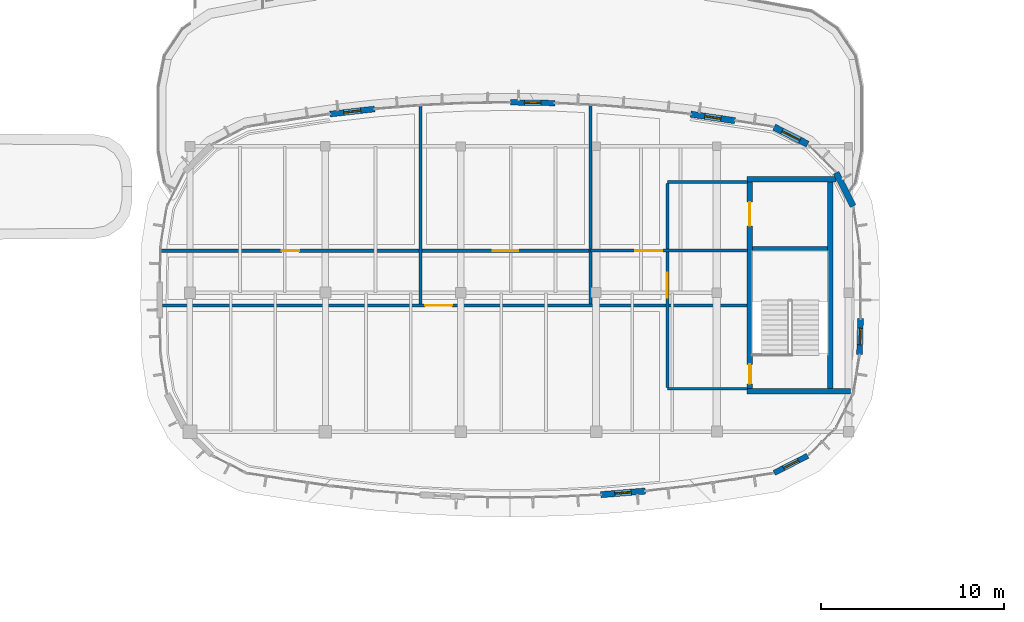
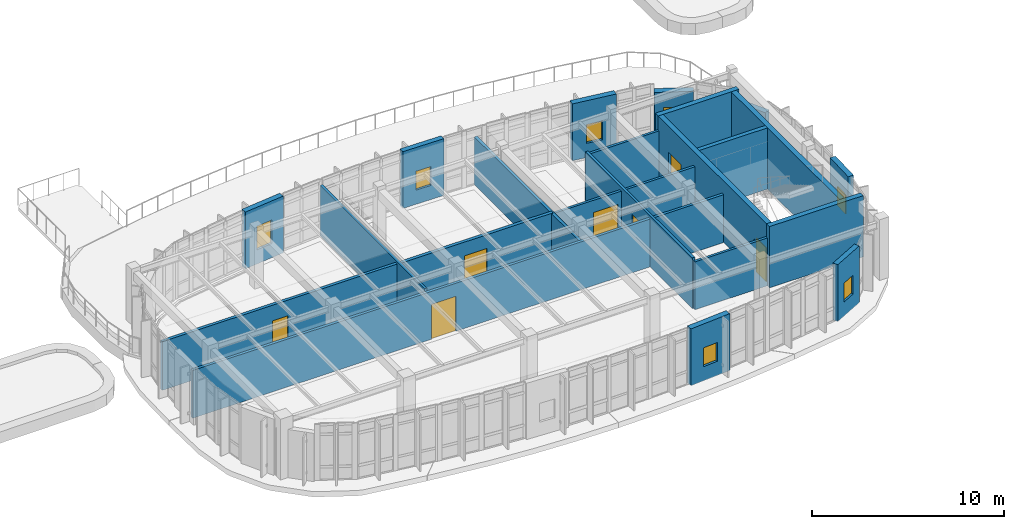
# One storey, part 84 of 111: 22 walls, 8 doors, 6 windows, 14 openings.
"""IFC4 building model written with IfcOpenShell, lengths in metres."""

from ifc_helpers import new_model, si_unit, direction, frame, frame_2d, origin, place, context, subcontext, project, spatial, rectangle, extrude, material, layer, layer_set, type_object, element, fill, save


model = new_model("IFC4")

# Units and contexts
model_context = context("Model", 3, precision=1e-05, world=origin(), true_north=direction((0.0, 1.0)))
body_context = subcontext(model_context, "Body", "Model", "MODEL_VIEW")
ifc_project = project(units=[si_unit("LENGTHUNIT", "METRE"), si_unit("AREAUNIT", "SQUARE_METRE"), si_unit("VOLUMEUNIT", "CUBIC_METRE"), si_unit("PLANEANGLEUNIT", "RADIAN"), si_unit("MASSUNIT", "GRAM", prefix="KILO")], contexts=[model_context])

# Site, building, storey
site_placement = place(None, origin())
site = spatial("IfcSite", under=ifc_project, at=site_placement, CompositionType="ELEMENT")
building_placement = place(site_placement, origin())
building = spatial("IfcBuilding", under=site, at=building_placement, Name="Corveleigh Park Community Centre", CompositionType="ELEMENT")
storey_placement = place(building_placement, frame((0.0, 0.0, 4.800048828125)))
storey = spatial("IfcBuildingStorey", under=building, at=storey_placement, Name="L01", CompositionType="ELEMENT", Elevation=4.800048828125)

# Wall, opening, window
ifc_material_1 = material(Name="Precast concrete C40/50", Category="concrete")
ifc_layer_1 = layer(ifc_material_1, 0.300048828125, Name="Precast concrete C40/50", Category="concrete")
ifc_layer_set_1 = layer_set([ifc_layer_1], Name="Precast concrete C40/50")
wall_type_1 = type_object("IfcWallType", Name="WL-EXT-300", PredefinedType="STANDARD", material=ifc_layer_set_1)
wall_1_placement = place(storey_placement, frame((105.762939453125, 9.882080078125, 0.0), z_axis=(0.0, 0.0, 1.0), x_axis=(-0.890853274035, -0.454291144686, 0.0)))
wall_1 = element("IfcWall", 1, at=wall_1_placement, inside=storey, type_object=wall_type_1, Name="V3 L01 Precast Facade Wall", PredefinedType="STANDARD", context=body_context, shape_type="SweptSolid", body=[
    extrude(rectangle(XDim=2.0517578125, YDim=0.300048828125, at=frame_2d((1.02587890625, 0.0))), origin(), (0.0, 0.0, 1.0), 3.619873046875),
])
opening_1_placement = place(wall_1_placement, frame((0.575927734375, 0.0, 0.89990234375)))
opening_1 = element("IfcOpeningElement", 2, at=opening_1_placement, cuts=wall_1, Name="Opening W01", PredefinedType="OPENING", context=body_context, shape_type="SweptSolid", body=[
    extrude(rectangle(XDim=0.89990234375, YDim=1.199951171875, at=frame_2d((0.449951171875, 0.60009765625))), frame((0.0, 0.159912109375, 0.0), z_axis=(0.0, -1.0, 0.0), x_axis=(1.0, 0.0, 0.0)), (0.0, 0.0, 1.0), 0.320068359375),
])
ifc_material_2 = material(Name="Low-E double glazing", Category="glass")
window_type_1 = type_object("IfcWindowType", Name="WIN-EXT-0900x1200", PartitioningType="SINGLE_PANEL", PredefinedType="WINDOW", material=ifc_material_2)
window_1_placement = place(opening_1_placement, origin())
window_1 = element("IfcWindow", 3, at=window_1_placement, inside=storey, type_object=window_type_1, Name="V3 L01 Window 46", OverallHeight=1.199951171875, OverallWidth=0.89990234375, PartitioningType="SINGLE_PANEL", PredefinedType="WINDOW", context=body_context, shape_type="SweptSolid", body=[
    extrude(rectangle(XDim=0.89990234375, YDim=1.199951171875, at=frame_2d((0.449951171875, 0.60009765625))), frame((0.0, 0.030029296875, 0.0), z_axis=(0.0, -1.0, 0.0), x_axis=(1.0, 0.0, 0.0)), (0.0, 0.0, 1.0), 0.06005859375),
])
fill(opening_1, window_1)

wall_2_placement = place(storey_placement, frame((89.509033203125, 29.202880859375, 0.0), z_axis=(0.0, 0.0, 1.0), x_axis=(0.999868316156, -0.01622807284, 0.0)))
wall_2 = element("IfcWall", 4, at=wall_2_placement, inside=storey, type_object=wall_type_1, Name="V3 L01 Precast Facade Wall", PredefinedType="STANDARD", context=body_context, shape_type="SweptSolid", body=[
    extrude(rectangle(XDim=2.4521484375, YDim=0.300048828125, at=frame_2d((1.22607421875, 0.0))), origin(), (0.0, 0.0, 1.0), 3.612060546875),
])
opening_2_placement = place(wall_2_placement, frame((0.77587890625, 0.0, 0.89990234375)))
opening_2 = element("IfcOpeningElement", 5, at=opening_2_placement, cuts=wall_2, Name="Opening W01", PredefinedType="OPENING", context=body_context, shape_type="SweptSolid", body=[
    extrude(rectangle(XDim=0.89990234375, YDim=1.199951171875, at=frame_2d((0.449951171875, 0.60009765625))), frame((0.0, 0.159912109375, 0.0), z_axis=(0.0, -1.0, 0.0), x_axis=(1.0, 0.0, 0.0)), (0.0, 0.0, 1.0), 0.320068359375),
])
window_2_placement = place(opening_2_placement, origin())
window_2 = element("IfcWindow", 6, at=window_2_placement, inside=storey, type_object=window_type_1, Name="V3 L01 Window 49", OverallHeight=1.199951171875, OverallWidth=0.89990234375, PartitioningType="SINGLE_PANEL", PredefinedType="WINDOW", context=body_context, shape_type="SweptSolid", body=[
    extrude(rectangle(XDim=0.89990234375, YDim=1.199951171875, at=frame_2d((0.449951171875, 0.60009765625))), frame((0.0, 0.030029296875, 0.0), z_axis=(0.0, -1.0, 0.0), x_axis=(1.0, 0.0, 0.0)), (0.0, 0.0, 1.0), 0.06005859375),
])
fill(opening_2, window_2)

ifc_layer_2 = layer(ifc_material_1, 0.320068359375, Name="Precast concrete C40/50", Category="concrete")
ifc_layer_set_2 = layer_set([ifc_layer_2], Name="Precast concrete C40/50")
wall_type_2 = type_object("IfcWallType", Name="WL-EXT-320", PredefinedType="STANDARD", material=ifc_layer_set_2)
wall_3_placement = place(storey_placement, frame((108.652099609375, 17.39111328125, 0.0), z_axis=(0.0, 0.0, 1.0), x_axis=(-0.026358751259, -0.999652547754, 0.0)))
wall_3 = element("IfcWall", 7, at=wall_3_placement, inside=storey, type_object=wall_type_2, Name="V3 L01 Precast Facade Wall", PredefinedType="STANDARD", context=body_context, shape_type="SweptSolid", body=[
    extrude(rectangle(XDim=1.972900390625, YDim=0.320068359375, at=frame_2d((0.986328125, 0.0))), origin(), (0.0, 0.0, 1.0), 3.656982421875),
])
opening_3_placement = place(wall_3_placement, frame((0.535888671875, 0.0, 0.89990234375)))
opening_3 = element("IfcOpeningElement", 8, at=opening_3_placement, cuts=wall_3, Name="Opening W01", PredefinedType="OPENING", context=body_context, shape_type="SweptSolid", body=[
    extrude(rectangle(XDim=0.89990234375, YDim=1.199951171875, at=frame_2d((0.449951171875, 0.60009765625))), frame((0.0, 0.169921875, 0.0), z_axis=(0.0, -1.0, 0.0), x_axis=(1.0, 0.0, 0.0)), (0.0, 0.0, 1.0), 0.340087890625),
])
window_3_placement = place(opening_3_placement, origin())
window_3 = element("IfcWindow", 9, at=window_3_placement, inside=storey, type_object=window_type_1, Name="V3 L01 Window 47", OverallHeight=1.199951171875, OverallWidth=0.89990234375, PartitioningType="SINGLE_PANEL", PredefinedType="WINDOW", context=body_context, shape_type="SweptSolid", body=[
    extrude(rectangle(XDim=0.89990234375, YDim=1.199951171875, at=frame_2d((0.449951171875, 0.60009765625))), frame((0.0, 0.030029296875, 0.0), z_axis=(0.0, -1.0, 0.0), x_axis=(1.0, 0.0, 0.0)), (0.0, 0.0, 1.0), 0.06005859375),
])
fill(opening_3, window_3)

wall_4_placement = place(storey_placement, frame((79.653076171875, 28.56201171875, 0.0), z_axis=(0.0, 0.0, 1.0), x_axis=(0.993507947112, 0.113762731271, 0.0)))
wall_4 = element("IfcWall", 10, at=wall_4_placement, inside=storey, type_object=wall_type_2, Name="V3 L01 Precast Facade Wall", PredefinedType="STANDARD", context=body_context, shape_type="SweptSolid", body=[
    extrude(rectangle(XDim=2.452880859375, YDim=0.320068359375, at=frame_2d((1.2265625, 0.0))), origin(), (0.0, 0.0, 1.0), 3.612060546875),
])
opening_4_placement = place(wall_4_placement, frame((0.7509765625, 0.0, 0.89990234375)))
opening_4 = element("IfcOpeningElement", 11, at=opening_4_placement, cuts=wall_4, Name="Opening W02", PredefinedType="OPENING", context=body_context, shape_type="SweptSolid", body=[
    extrude(rectangle(XDim=0.949951171875, YDim=1.5, at=frame_2d((0.47509765625, 0.75))), frame((0.0, 0.169921875, 0.0), z_axis=(0.0, -1.0, 0.0), x_axis=(1.0, 0.0, 0.0)), (0.0, 0.0, 1.0), 0.340087890625),
])
window_type_2 = type_object("IfcWindowType", Name="WIN-EXT-0950x1500", PartitioningType="SINGLE_PANEL", PredefinedType="WINDOW", material=ifc_material_2)
window_4_placement = place(opening_4_placement, origin())
window_4 = element("IfcWindow", 12, at=window_4_placement, inside=storey, type_object=window_type_2, Name="V3 L01 Window 50", OverallHeight=1.5, OverallWidth=0.949951171875, PartitioningType="SINGLE_PANEL", PredefinedType="WINDOW", context=body_context, shape_type="SweptSolid", body=[
    extrude(rectangle(XDim=0.949951171875, YDim=1.5, at=frame_2d((0.47509765625, 0.75))), frame((0.0, 0.030029296875, 0.0), z_axis=(0.0, -1.0, 0.0), x_axis=(1.0, 0.0, 0.0)), (0.0, 0.0, 1.0), 0.06005859375),
])
fill(opening_4, window_4)

ifc_layer_3 = layer(ifc_material_1, 0.340087890625, Name="Precast concrete C40/50", Category="concrete")
ifc_layer_set_3 = layer_set([ifc_layer_3], Name="Precast concrete C40/50")
wall_type_3 = type_object("IfcWallType", Name="WL-EXT-340", PredefinedType="STANDARD", material=ifc_layer_set_3)
wall_5_placement = place(storey_placement, frame((96.89208984375, 7.95703125, 0.0), z_axis=(0.0, 0.0, 1.0), x_axis=(-0.996705171675, -0.081109806781, 0.0)))
wall_5 = element("IfcWall", 13, at=wall_5_placement, inside=storey, type_object=wall_type_3, Name="V3 L01 Precast Facade Wall", PredefinedType="STANDARD", context=body_context, shape_type="SweptSolid", body=[
    extrude(rectangle(XDim=2.453125, YDim=0.340087890625, at=frame_2d((1.2265625, 0.0))), origin(), (0.0, 0.0, 1.0), 3.619873046875),
])
opening_5_placement = place(wall_5_placement, frame((0.77587890625, 0.0, 0.89990234375)))
opening_5 = element("IfcOpeningElement", 14, at=opening_5_placement, cuts=wall_5, Name="Opening W01", PredefinedType="OPENING", context=body_context, shape_type="SweptSolid", body=[
    extrude(rectangle(XDim=0.89990234375, YDim=1.199951171875, at=frame_2d((0.449951171875, 0.60009765625))), frame((0.0, 0.179931640625, 0.0), z_axis=(0.0, -1.0, 0.0), x_axis=(1.0, 0.0, 0.0)), (0.0, 0.0, 1.0), 0.360107421875),
])
window_5_placement = place(opening_5_placement, origin())
window_5 = element("IfcWindow", 15, at=window_5_placement, inside=storey, type_object=window_type_1, Name="V3 L01 Window 45", OverallHeight=1.199951171875, OverallWidth=0.89990234375, PartitioningType="SINGLE_PANEL", PredefinedType="WINDOW", context=body_context, shape_type="SweptSolid", body=[
    extrude(rectangle(XDim=0.89990234375, YDim=1.199951171875, at=frame_2d((0.449951171875, 0.60009765625))), frame((0.0, 0.030029296875, 0.0), z_axis=(0.0, -1.0, 0.0), x_axis=(1.0, 0.0, 0.0)), (0.0, 0.0, 1.0), 0.06005859375),
])
fill(opening_5, window_5)

# Wall
wall_6_placement = place(storey_placement, frame((107.318115234375, 25.363037109375, 0.0), z_axis=(0.0, 0.0, 1.0), x_axis=(0.454148561407, -0.890925970085, 0.0)))
element("IfcWall", 16, at=wall_6_placement, inside=storey, type_object=wall_type_3, Name="V3 L01 Precast Facade Wall", PredefinedType="STANDARD", context=body_context, shape_type="SweptSolid", body=[
    extrude(rectangle(XDim=2.052001953125, YDim=0.340087890625, at=frame_2d((1.02587890625, 0.0))), origin(), (0.0, 0.0, 1.0), 2.969970703125),
])

# Wall, opening, window
wall_7_placement = place(storey_placement, frame((99.364990234375, 28.56005859375, 0.0), z_axis=(0.0, 0.0, 1.0), x_axis=(0.98923708278, -0.146321543365, 0.0)))
wall_7 = element("IfcWall", 17, at=wall_7_placement, inside=storey, type_object=wall_type_3, Name="V3 L01 Precast Facade Wall", PredefinedType="STANDARD", context=body_context, shape_type="SweptSolid", body=[
    extrude(rectangle(XDim=2.454345703125, YDim=0.340087890625, at=frame_2d((1.22705078125, 0.0))), origin(), (0.0, 0.0, 1.0), 3.612060546875),
])
opening_6_placement = place(wall_7_placement, frame((0.777099609375, 0.0, 0.89990234375)))
opening_6 = element("IfcOpeningElement", 18, at=opening_6_placement, cuts=wall_7, Name="Opening W01", PredefinedType="OPENING", context=body_context, shape_type="SweptSolid", body=[
    extrude(rectangle(XDim=0.89990234375, YDim=1.199951171875, at=frame_2d((0.449951171875, 0.60009765625))), frame((0.0, 0.179931640625, 0.0), z_axis=(0.0, -1.0, 0.0), x_axis=(1.0, 0.0, 0.0)), (0.0, 0.0, 1.0), 0.360107421875),
])
window_6_placement = place(opening_6_placement, origin())
window_6 = element("IfcWindow", 19, at=window_6_placement, inside=storey, type_object=window_type_1, Name="V3 L01 Window 48", OverallHeight=1.199951171875, OverallWidth=0.89990234375, PartitioningType="SINGLE_PANEL", PredefinedType="WINDOW", context=body_context, shape_type="SweptSolid", body=[
    extrude(rectangle(XDim=0.89990234375, YDim=1.199951171875, at=frame_2d((0.449951171875, 0.60009765625))), frame((0.0, 0.030029296875, 0.0), z_axis=(0.0, -1.0, 0.0), x_axis=(1.0, 0.0, 0.0)), (0.0, 0.0, 1.0), 0.06005859375),
])
fill(opening_6, window_6)

# Wall, opening, door
ifc_layer_4 = layer(ifc_material_1, 0.360107421875, Name="Precast concrete C40/50", Category="concrete")
ifc_layer_set_4 = layer_set([ifc_layer_4], Name="Precast concrete C40/50")
wall_type_4 = type_object("IfcWallType", Name="WL-EXT-360", PredefinedType="STANDARD", material=ifc_layer_set_4)
wall_8_placement = place(storey_placement, frame((103.93505859375, 27.85009765625, 0.0), z_axis=(0.0, 0.0, 1.0), x_axis=(0.890853274035, -0.454291144686, 0.0)))
wall_8 = element("IfcWall", 20, at=wall_8_placement, inside=storey, type_object=wall_type_4, Name="V3 terrace wall", PredefinedType="STANDARD", context=body_context, shape_type="SweptSolid", body=[
    extrude(rectangle(XDim=2.0517578125, YDim=0.360107421875, at=frame_2d((1.02587890625, 0.0))), origin(), (0.0, 0.0, 1.0), 3.18798828125),
])
opening_7_placement = place(wall_8_placement, frame((0.47607421875, 0.0, 0.0)))
opening_7 = element("IfcOpeningElement", 21, at=opening_7_placement, cuts=wall_8, Name="Opening ED01", PredefinedType="OPENING", context=body_context, shape_type="SweptSolid", body=[
    extrude(rectangle(XDim=1.10009765625, YDim=2.199951171875, at=frame_2d((0.550048828125, 1.10009765625))), frame((0.0, 0.18994140625, 0.0), z_axis=(0.0, -1.0, 0.0), x_axis=(1.0, 0.0, 0.0)), (0.0, 0.0, 1.0), 0.380126953125),
])
ifc_material_3 = material(Name="Powder-coated aluminium glazed door", Category="aluminium")
door_type_1 = type_object("IfcDoorType", Name="DR-EXT-1100x2200", OperationType="NOTDEFINED", PredefinedType="DOOR", material=ifc_material_3)
door_1_placement = place(opening_7_placement, origin())
door_1 = element("IfcDoor", 22, at=door_1_placement, inside=storey, type_object=door_type_1, Name="Banquet Courtyard Roof Terrace access door", OperationType="SINGLE_SWING_LEFT", OverallHeight=2.199951171875, OverallWidth=1.10009765625, PredefinedType="DOOR", context=body_context, shape_type="SweptSolid", body=[
    extrude(rectangle(XDim=1.10009765625, YDim=2.199951171875, at=frame_2d((0.550048828125, 1.10009765625))), frame((0.0, 0.02490234375, 0.0), z_axis=(0.0, -1.0, 0.0), x_axis=(1.0, 0.0, 0.0)), (0.0, 0.0, 1.0), 0.050048828125),
])
fill(opening_7, door_1)

# Walls
ifc_material_4 = material(Name="Gypsum acoustic stud partition", Category="gypsum")
ifc_layer_5 = layer(ifc_material_4, 0.14990234375, Name="Gypsum acoustic stud partition", Category="gypsum")
ifc_layer_set_5 = layer_set([ifc_layer_5], Name="Gypsum acoustic stud partition")
wall_type_5 = type_object("IfcWallType", Name="WL-PRT-150", PredefinedType="PARTITIONING", material=ifc_layer_set_5)
wall_9_placement = place(storey_placement, frame((98.10009765625, 13.550048828125, 0.0), z_axis=(0.0, 0.0, 1.0), x_axis=(1.0, 0.0, 0.0)))
element("IfcWall", 23, at=wall_9_placement, inside=storey, type_object=wall_type_5, Name="CORE4 lobby south wall", PredefinedType="PARTITIONING", context=body_context, shape_type="SweptSolid", body=[
    extrude(rectangle(XDim=4.364990234375, YDim=0.14990234375, at=frame_2d((2.1826171875, 0.0))), origin(), (0.0, 0.0, 1.0), 3.044921875),
])
wall_10_placement = place(storey_placement, frame((102.465087890625, 24.85009765625, 0.0), z_axis=(0.0, 0.0, 1.0), x_axis=(-1.0, 0.0, 0.0)))
element("IfcWall", 24, at=wall_10_placement, inside=storey, type_object=wall_type_5, Name="CORE4 lobby north wall", PredefinedType="PARTITIONING", context=body_context, shape_type="SweptSolid", body=[
    extrude(rectangle(XDim=4.364990234375, YDim=0.14990234375, at=frame_2d((2.1826171875, 0.0))), origin(), (0.0, 0.0, 1.0), 2.994873046875),
])

# Wall, opening, door
wall_11_placement = place(storey_placement, frame((98.10009765625, 24.77001953125, 0.0), z_axis=(0.0, 0.0, 1.0), x_axis=(0.0, -1.0, 0.0)))
wall_11 = element("IfcWall", 25, at=wall_11_placement, inside=storey, type_object=wall_type_5, Name="CORE4 lobby corridor wall", PredefinedType="PARTITIONING", context=body_context, shape_type="SweptSolid", body=[
    extrude(rectangle(XDim=11.14013671875, YDim=0.14990234375, at=frame_2d((5.570068359375, 0.0))), origin(), (0.0, 0.0, 1.0), 3.23193359375),
])
opening_8_placement = place(wall_11_placement, frame((4.8798828125, 0.0, 0.0)))
opening_8 = element("IfcOpeningElement", 26, at=opening_8_placement, cuts=wall_11, Name="Opening FD02", PredefinedType="OPENING", context=body_context, shape_type="SweptSolid", body=[
    extrude(rectangle(XDim=1.3798828125, YDim=2.199951171875, at=frame_2d((0.68994140625, 1.10009765625))), frame((0.0, 0.0849609375, 0.0), z_axis=(0.0, -1.0, 0.0), x_axis=(1.0, 0.0, 0.0)), (0.0, 0.0, 1.0), 0.169921875),
])
ifc_material_5 = material(Name="Hardwood acoustic door leaf", Category="wood")
door_type_2 = type_object("IfcDoorType", Name="DR-FIR-1380x2200", OperationType="DOUBLE_DOOR_SINGLE_SWING", PredefinedType="DOOR", material=ifc_material_5)
door_2_placement = place(opening_8_placement, origin())
door_2 = element("IfcDoor", 27, at=door_2_placement, inside=storey, type_object=door_type_2, Name="Lobby CORE4 corridor door L01", OperationType="DOUBLE_DOOR_SINGLE_SWING", OverallHeight=2.199951171875, OverallWidth=1.3798828125, PredefinedType="DOOR", context=body_context, shape_type="SweptSolid", body=[
    extrude(rectangle(XDim=1.3798828125, YDim=2.199951171875, at=frame_2d((0.68994140625, 1.10009765625))), frame((0.0, 0.02490234375, 0.0), z_axis=(0.0, -1.0, 0.0), x_axis=(1.0, 0.0, 0.0)), (0.0, 0.0, 1.0), 0.050048828125),
])
fill(opening_8, door_2)

wall_12_placement = place(storey_placement, frame((102.4619140625, 21.10009765625, 0.0), z_axis=(0.0, 0.0, 1.0), x_axis=(-1.0, 0.0, 0.0)))
wall_12 = element("IfcWall", 28, at=wall_12_placement, inside=storey, type_object=wall_type_5, Name="Accessible WC V3 L01 corridor wall", PredefinedType="PARTITIONING", context=body_context, shape_type="SweptSolid", body=[
    extrude(rectangle(XDim=8.56201171875, YDim=0.14990234375, at=frame_2d((4.281005859375, 0.0))), origin(), (0.0, 0.0, 1.0), 2.994873046875),
])
opening_9_placement = place(wall_12_placement, frame((4.637939453125, 0.0, 0.0)))
opening_9 = element("IfcOpeningElement", 29, at=opening_9_placement, cuts=wall_12, Name="Opening FD01", PredefinedType="OPENING", context=body_context, shape_type="SweptSolid", body=[
    extrude(rectangle(XDim=1.47998046875, YDim=2.219970703125, at=frame_2d((0.739990234375, 1.10986328125))), frame((0.0, 0.0849609375, 0.0), z_axis=(0.0, -1.0, 0.0), x_axis=(1.0, 0.0, 0.0)), (0.0, 0.0, 1.0), 0.169921875),
])
door_type_3 = type_object("IfcDoorType", Name="DR-FIR-1480x2220", OperationType="DOUBLE_DOOR_SINGLE_SWING", PredefinedType="DOOR", material=ifc_material_5)
door_3_placement = place(opening_9_placement, origin())
door_3 = element("IfcDoor", 30, at=door_3_placement, inside=storey, type_object=door_type_3, Name="Accessible WC V3 L01 door", OperationType="DOUBLE_DOOR_SINGLE_SWING", OverallHeight=2.219970703125, OverallWidth=1.47998046875, PredefinedType="DOOR", context=body_context, shape_type="SweptSolid", body=[
    extrude(rectangle(XDim=1.47998046875, YDim=2.219970703125, at=frame_2d((0.739990234375, 1.10986328125))), frame((0.0, 0.02490234375, 0.0), z_axis=(0.0, -1.0, 0.0), x_axis=(1.0, 0.0, 0.0)), (0.0, 0.0, 1.0), 0.050048828125),
])
fill(opening_9, door_3)

# Wall
wall_13_placement = place(storey_placement, frame((84.60009765625, 18.1708984375, 0.0), z_axis=(0.0, 0.0, 1.0), x_axis=(0.0, 1.0, 0.0)))
element("IfcWall", 31, at=wall_13_placement, inside=storey, type_object=wall_type_5, Name="Culinary Teaching Classroom partition", PredefinedType="PARTITIONING", context=body_context, shape_type="SweptSolid", body=[
    extrude(rectangle(XDim=10.873046875, YDim=0.14990234375, at=frame_2d((5.4365234375, 0.0))), origin(), (0.0, 0.0, 1.0), 3.23583984375),
])

# Wall, opening, door
ifc_layer_6 = layer(ifc_material_4, 0.1650390625, Name="Gypsum acoustic stud partition", Category="gypsum")
ifc_layer_set_6 = layer_set([ifc_layer_6], Name="Gypsum acoustic stud partition")
wall_type_6 = type_object("IfcWallType", Name="WL-PRT-165", PredefinedType="PARTITIONING", material=ifc_layer_set_6)
wall_14_placement = place(storey_placement, frame((70.486083984375, 18.10009765625, 0.0), z_axis=(0.0, 0.0, 1.0), x_axis=(1.0, 0.0, 0.0)))
wall_14 = element("IfcWall", 32, at=wall_14_placement, inside=storey, type_object=wall_type_6, Name="Community Banquet Hall corridor wall", PredefinedType="PARTITIONING", context=body_context, shape_type="SweptSolid", body=[
    extrude(rectangle(XDim=31.975830078125, YDim=0.1650390625, at=frame_2d((15.98779296875, 0.0))), origin(), (0.0, 0.0, 1.0), 3.044921875),
])
opening_10_placement = place(wall_14_placement, frame((14.367919921875, 0.0, 0.0)))
opening_10 = element("IfcOpeningElement", 33, at=opening_10_placement, cuts=wall_14, Name="Opening FD01", PredefinedType="OPENING", context=body_context, shape_type="SweptSolid", body=[
    extrude(rectangle(XDim=1.47998046875, YDim=2.219970703125, at=frame_2d((0.739990234375, 1.10986328125))), frame((0.0, 0.092529296875, 0.0), z_axis=(0.0, -1.0, 0.0), x_axis=(1.0, 0.0, 0.0)), (0.0, 0.0, 1.0), 0.18505859375),
])
door_4_placement = place(opening_10_placement, origin())
door_4 = element("IfcDoor", 34, at=door_4_placement, inside=storey, type_object=door_type_3, Name="Community Banquet Hall door", OperationType="DOUBLE_DOOR_SINGLE_SWING", OverallHeight=2.219970703125, OverallWidth=1.47998046875, PredefinedType="DOOR", context=body_context, shape_type="SweptSolid", body=[
    extrude(rectangle(XDim=1.47998046875, YDim=2.219970703125, at=frame_2d((0.739990234375, 1.10986328125))), frame((0.0, 0.02490234375, 0.0), z_axis=(0.0, -1.0, 0.0), x_axis=(1.0, 0.0, 0.0)), (0.0, 0.0, 1.0), 0.050048828125),
])
fill(opening_10, door_4)

# Wall
wall_15_placement = place(storey_placement, frame((93.89990234375, 18.1708984375, 0.0), z_axis=(0.0, 0.0, 1.0), x_axis=(0.0, 1.0, 0.0)))
element("IfcWall", 35, at=wall_15_placement, inside=storey, type_object=wall_type_6, Name="Banquet Catering Servery partition", PredefinedType="PARTITIONING", context=body_context, shape_type="SweptSolid", body=[
    extrude(rectangle(XDim=10.898193359375, YDim=0.1650390625, at=frame_2d((5.44921875, 0.0))), origin(), (0.0, 0.0, 1.0), 3.044921875),
])

# Wall, opening, door
ifc_layer_7 = layer(ifc_material_4, 0.179931640625, Name="Gypsum acoustic stud partition", Category="gypsum")
ifc_layer_set_7 = layer_set([ifc_layer_7], Name="Gypsum acoustic stud partition")
wall_type_7 = type_object("IfcWallType", Name="WL-PRT-180", PredefinedType="PARTITIONING", material=ifc_layer_set_7)
wall_16_placement = place(storey_placement, frame((84.60009765625, 21.10009765625, 0.0), z_axis=(0.0, 0.0, 1.0), x_axis=(-1.0, 0.0, 0.0)))
wall_16 = element("IfcWall", 36, at=wall_16_placement, inside=storey, type_object=wall_type_7, Name="Culinary Teaching Classroom corridor wall", PredefinedType="PARTITIONING", context=body_context, shape_type="SweptSolid", body=[
    extrude(rectangle(XDim=14.20703125, YDim=0.179931640625, at=frame_2d((7.103515625, 0.0))), origin(), (0.0, 0.0, 1.0), 3.094970703125),
])
opening_11_placement = place(wall_16_placement, frame((6.633056640625, 0.0, 0.0)))
opening_11 = element("IfcOpeningElement", 37, at=opening_11_placement, cuts=wall_16, Name="Opening FD09", PredefinedType="OPENING", context=body_context, shape_type="SweptSolid", body=[
    extrude(rectangle(XDim=0.93994140625, YDim=2.10009765625, at=frame_2d((0.469970703125, 1.050048828125))), frame((0.0, 0.099853515625, 0.0), z_axis=(0.0, -1.0, 0.0), x_axis=(1.0, 0.0, 0.0)), (0.0, 0.0, 1.0), 0.199951171875),
])
door_type_4 = type_object("IfcDoorType", Name="DR-FIR-0940x2100", OperationType="NOTDEFINED", PredefinedType="DOOR", material=ifc_material_5)
door_5_placement = place(opening_11_placement, origin())
door_5 = element("IfcDoor", 38, at=door_5_placement, inside=storey, type_object=door_type_4, Name="Culinary Teaching Classroom door", OperationType="SINGLE_SWING_LEFT", OverallHeight=2.10009765625, OverallWidth=0.93994140625, PredefinedType="DOOR", context=body_context, shape_type="SweptSolid", body=[
    extrude(rectangle(XDim=0.93994140625, YDim=2.10009765625, at=frame_2d((0.469970703125, 1.050048828125))), frame((0.0, 0.02490234375, 0.0), z_axis=(0.0, -1.0, 0.0), x_axis=(1.0, 0.0, 0.0)), (0.0, 0.0, 1.0), 0.050048828125),
])
fill(opening_11, door_5)

ifc_material_6 = material(Name="Masonry blockwork 7.3 MPa", Category="masonry")
ifc_layer_8 = layer(ifc_material_6, 0.195068359375, Name="Masonry blockwork 7.3 MPa", Category="masonry")
ifc_layer_set_8 = layer_set([ifc_layer_8], Name="Masonry blockwork 7.3 MPa")
wall_type_8 = type_object("IfcWallType", Name="WL-PRT-195", PredefinedType="PARTITIONING", material=ifc_layer_set_8)
wall_17_placement = place(storey_placement, frame((93.89990234375, 21.10009765625, 0.0), z_axis=(0.0, 0.0, 1.0), x_axis=(-1.0, 0.0, 0.0)))
wall_17 = element("IfcWall", 39, at=wall_17_placement, inside=storey, type_object=wall_type_8, Name="Banquet Catering Servery corridor wall", PredefinedType="PARTITIONING", context=body_context, shape_type="SweptSolid", body=[
    extrude(rectangle(XDim=9.2998046875, YDim=0.195068359375, at=frame_2d((4.64990234375, 0.0))), origin(), (0.0, 0.0, 1.0), 3.070068359375),
])
opening_12_placement = place(wall_17_placement, frame((3.9599609375, 0.0, 0.0)))
opening_12 = element("IfcOpeningElement", 40, at=opening_12_placement, cuts=wall_17, Name="Opening FD02", PredefinedType="OPENING", context=body_context, shape_type="SweptSolid", body=[
    extrude(rectangle(XDim=1.3798828125, YDim=2.199951171875, at=frame_2d((0.68994140625, 1.10009765625))), frame((0.0, 0.107421875, 0.0), z_axis=(0.0, -1.0, 0.0), x_axis=(1.0, 0.0, 0.0)), (0.0, 0.0, 1.0), 0.215087890625),
])
door_6_placement = place(opening_12_placement, origin())
door_6 = element("IfcDoor", 41, at=door_6_placement, inside=storey, type_object=door_type_2, Name="Banquet Catering Servery door", OperationType="DOUBLE_DOOR_SINGLE_SWING", OverallHeight=2.199951171875, OverallWidth=1.3798828125, PredefinedType="DOOR", context=body_context, shape_type="SweptSolid", body=[
    extrude(rectangle(XDim=1.3798828125, YDim=2.199951171875, at=frame_2d((0.68994140625, 1.10009765625))), frame((0.0, 0.02490234375, 0.0), z_axis=(0.0, -1.0, 0.0), x_axis=(1.0, 0.0, 0.0)), (0.0, 0.0, 1.0), 0.050048828125),
])
fill(opening_12, door_6)

# Walls
ifc_material_7 = material(Name="Concrete C40/50", Category="concrete")
ifc_layer_9 = layer(ifc_material_7, 0.25, Name="Concrete C40/50", Category="concrete")
ifc_layer_set_9 = layer_set([ifc_layer_9], Name="Concrete C40/50")
wall_type_9 = type_object("IfcWallType", Name="WL-SHR-250", PredefinedType="SHEAR", material=ifc_layer_set_9)
wall_18_placement = place(storey_placement, frame((102.75, 21.199951171875, 0.0), z_axis=(0.0, 0.0, 1.0), x_axis=(1.0, 0.0, 0.0)))
element("IfcWall", 42, at=wall_18_placement, inside=storey, type_object=wall_type_9, Name="CORE4 shaft wall", PredefinedType="SHEAR", context=body_context, shape_type="SweptSolid", body=[
    extrude(rectangle(XDim=4.10009765625, YDim=0.25, at=frame_2d((2.050048828125, 0.0))), origin(), (0.0, 0.0, 1.0), 3.89990234375),
])
ifc_layer_10 = layer(ifc_material_7, 0.300048828125, Name="Concrete C40/50", Category="concrete")
ifc_layer_set_10 = layer_set([ifc_layer_10], Name="Concrete C40/50")
wall_type_10 = type_object("IfcWallType", Name="WL-SHR-300", PredefinedType="SHEAR", material=ifc_layer_set_10)
wall_19_placement = place(storey_placement, frame((102.449951171875, 13.39990234375, 0.0), z_axis=(0.0, 0.0, 1.0), x_axis=(1.0, 0.0, 0.0)))
element("IfcWall", 43, at=wall_19_placement, inside=storey, type_object=wall_type_10, Name="CORE4 south shear wall", PredefinedType="SHEAR", context=body_context, shape_type="SweptSolid", body=[
    extrude(rectangle(XDim=5.653076171875, YDim=0.300048828125, at=frame_2d((2.82666015625, 0.0))), origin(), (0.0, 0.0, 1.0), 3.89990234375),
])
wall_20_placement = place(storey_placement, frame((107.0, 13.550048828125, 0.0), z_axis=(0.0, 0.0, 1.0), x_axis=(0.0, 1.0, 0.0)))
element("IfcWall", 44, at=wall_20_placement, inside=storey, type_object=wall_type_10, Name="CORE4 east shear wall", PredefinedType="SHEAR", context=body_context, shape_type="SweptSolid", body=[
    extrude(rectangle(XDim=11.300048828125, YDim=0.300048828125, at=frame_2d((5.64990234375, 0.0))), origin(), (0.0, 0.0, 1.0), 3.89990234375),
])
wall_21_placement = place(storey_placement, frame((107.322998046875, 25.0, 0.0), z_axis=(0.0, 0.0, 1.0), x_axis=(-1.0, 0.0, 0.0)))
element("IfcWall", 45, at=wall_21_placement, inside=storey, type_object=wall_type_10, Name="CORE4 north shear wall", PredefinedType="SHEAR", context=body_context, shape_type="SweptSolid", body=[
    extrude(rectangle(XDim=4.873046875, YDim=0.300048828125, at=frame_2d((2.4365234375, 0.0))), origin(), (0.0, 0.0, 1.0), 3.89990234375),
])

# Wall, openings, doors
wall_22_placement = place(storey_placement, frame((102.60009765625, 24.85009765625, 0.0), z_axis=(0.0, 0.0, 1.0), x_axis=(0.0, -1.0, 0.0)))
wall_22 = element("IfcWall", 46, at=wall_22_placement, inside=storey, type_object=wall_type_10, Name="CORE4 west lobby wall", PredefinedType="SHEAR", context=body_context, shape_type="SweptSolid", body=[
    extrude(rectangle(XDim=11.300048828125, YDim=0.300048828125, at=frame_2d((5.64990234375, 0.0))), origin(), (0.0, 0.0, 1.0), 3.89990234375),
])
opening_13_placement = place(wall_22_placement, frame((1.10009765625, 0.0, 0.0)))
opening_13 = element("IfcOpeningElement", 47, at=opening_13_placement, cuts=wall_22, Name="Opening LD03", PredefinedType="OPENING", context=body_context, shape_type="SweptSolid", body=[
    extrude(rectangle(XDim=1.300048828125, YDim=2.25, at=frame_2d((0.64990234375, 1.125))), frame((0.0, 0.159912109375, 0.0), z_axis=(0.0, -1.0, 0.0), x_axis=(1.0, 0.0, 0.0)), (0.0, 0.0, 1.0), 0.320068359375),
])
opening_14_placement = place(wall_22_placement, frame((9.969970703125, 0.0, 0.0)))
opening_14 = element("IfcOpeningElement", 48, at=opening_14_placement, cuts=wall_22, Name="Opening FD04", PredefinedType="OPENING", context=body_context, shape_type="SweptSolid", body=[
    extrude(rectangle(XDim=1.06005859375, YDim=2.14990234375, at=frame_2d((0.530029296875, 1.074951171875))), frame((0.0, 0.159912109375, 0.0), z_axis=(0.0, -1.0, 0.0), x_axis=(1.0, 0.0, 0.0)), (0.0, 0.0, 1.0), 0.320068359375),
])
door_type_5 = type_object("IfcDoorType", Name="DR-FIR-1060x2150", OperationType="NOTDEFINED", PredefinedType="DOOR", material=ifc_material_5)
door_7_placement = place(opening_14_placement, origin())
door_7 = element("IfcDoor", 49, at=door_7_placement, inside=storey, type_object=door_type_5, Name="Stair ST4 fire door L01", OperationType="SINGLE_SWING_LEFT", OverallHeight=2.14990234375, OverallWidth=1.06005859375, PredefinedType="DOOR", context=body_context, shape_type="SweptSolid", body=[
    extrude(rectangle(XDim=1.06005859375, YDim=2.14990234375, at=frame_2d((0.530029296875, 1.074951171875))), frame((0.0, 0.02490234375, 0.0), z_axis=(0.0, -1.0, 0.0), x_axis=(1.0, 0.0, 0.0)), (0.0, 0.0, 1.0), 0.050048828125),
])
fill(opening_14, door_7)
ifc_material_8 = material(Name="Brushed stainless steel lift car", Category="steel")
door_type_6 = type_object("IfcDoorType", Name="DR-LFT-1300x2250", OperationType="DOUBLE_DOOR_SLIDING", PredefinedType="DOOR", material=ifc_material_8)
door_8_placement = place(opening_13_placement, origin())
door_8 = element("IfcDoor", 50, at=door_8_placement, inside=storey, type_object=door_type_6, Name="Lift GL1 landing door L01", OperationType="DOUBLE_DOOR_SLIDING", OverallHeight=2.25, OverallWidth=1.300048828125, PredefinedType="DOOR", context=body_context, shape_type="SweptSolid", body=[
    extrude(rectangle(XDim=1.300048828125, YDim=2.25, at=frame_2d((0.64990234375, 1.125))), frame((0.0, 0.02490234375, 0.0), z_axis=(0.0, -1.0, 0.0), x_axis=(1.0, 0.0, 0.0)), (0.0, 0.0, 1.0), 0.050048828125),
])
fill(opening_13, door_8)

save(model, "model.ifc")
